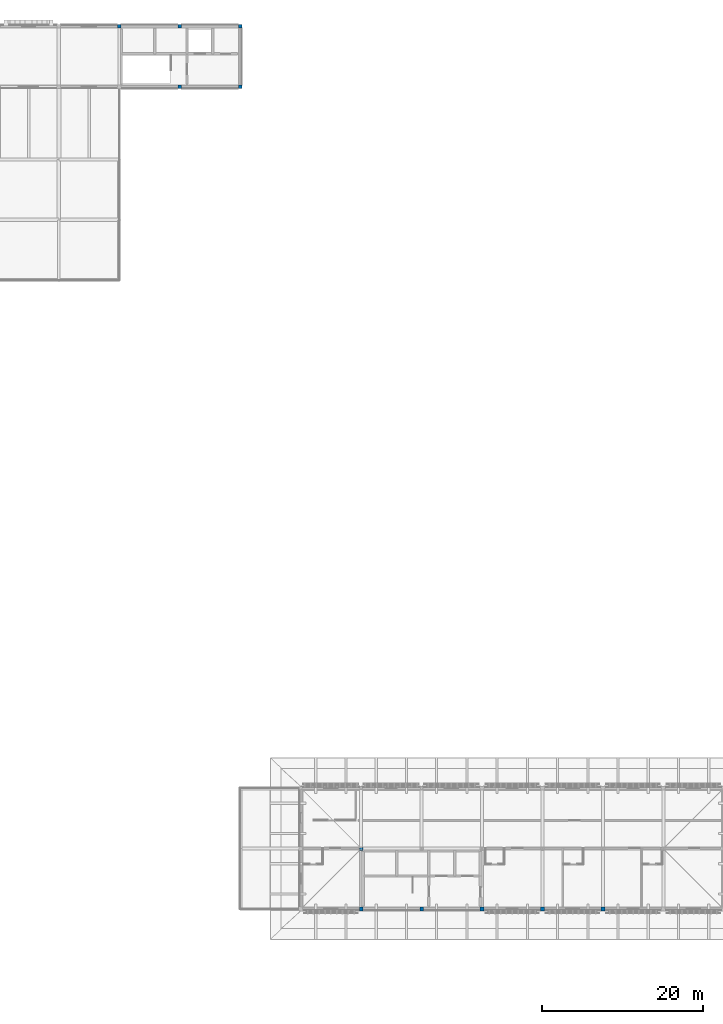
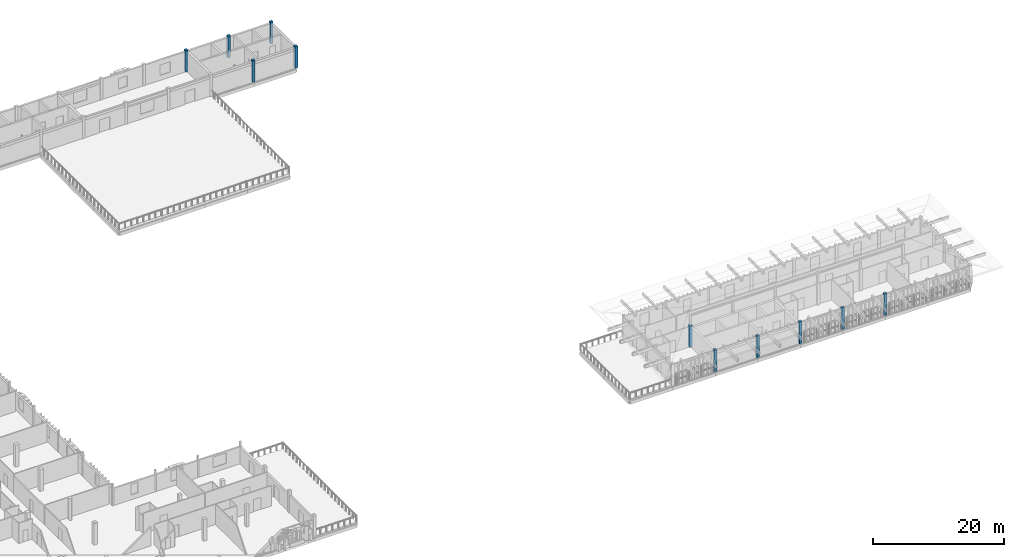
# One storey, part 5 of 33: 11 columns.
"""IFC4 building model written with IfcOpenShell, lengths in metres."""

from ifc_helpers import new_model, si_unit, direction, frame, origin, origin_2d, place, context, subcontext, project, spatial, rectangle, extrude, material, material_profile, profile_set, type_object, element, save


model = new_model("IFC4")

# Units and contexts
model_context = context("Model", 3, precision=1e-05, world=origin(), true_north=direction((0.0, 1.0)))
body_context = subcontext(model_context, "Body", "Model", "MODEL_VIEW")
ifc_project = project(units=[si_unit("LENGTHUNIT", "METRE"), si_unit("AREAUNIT", "SQUARE_METRE"), si_unit("VOLUMEUNIT", "CUBIC_METRE"), si_unit("PLANEANGLEUNIT", "RADIAN"), si_unit("MASSUNIT", "GRAM", prefix="KILO")], contexts=[model_context])

# Site, building, storey
site_placement = place(None, origin())
site = spatial("IfcSite", under=ifc_project, at=site_placement, CompositionType="ELEMENT")
building_placement = place(site_placement, origin())
building = spatial("IfcBuilding", under=site, at=building_placement, Name="Dalvernix Boulevard General Hospital", CompositionType="ELEMENT")
storey_placement = place(building_placement, frame((0.0, 0.0, 21.89990234375)))
storey = spatial("IfcBuildingStorey", under=building, at=storey_placement, Name="L05", CompositionType="ELEMENT", Elevation=21.89990234375)

# Columns
ifc_material = material(Name="Concrete C40/50", Category="concrete")
ifc_material_profile_1 = material_profile(ifc_material, rectangle(XDim=0.449951171875, YDim=0.449951171875, at=origin_2d()), Name="RC 450x450")
ifc_profile_set_1 = profile_set([ifc_material_profile_1], Name="Concrete C40/50")
column_type_1 = type_object("IfcColumnType", Name="COL-C-10-E", PredefinedType="COLUMN", material=ifc_profile_set_1)
for number, where, z_axis, x_axis, name in (
    (1, (97.5, 117.0, 0.0), (0.0, 0.0, 1.0), (1.0, 0.0, 0.0), "L05 column 14R"),
    (2, (105.0, 109.5, 0.0), (0.0, 0.0, 1.0), (1.0, 0.0, 0.0), "L05 column 15Q"),
    (3, (105.0, 117.0, 0.0), (0.0, 0.0, 1.0), (1.0, 0.0, 0.0), "L05 column 15R"),
    (4, (112.5, 109.5, 0.0), (0.0, 0.0, 1.0), (1.0, 0.0, 0.0), "L05 column 16Q"),
    (5, (112.5, 117.0, 0.0), (0.0, 0.0, 1.0), (1.0, 0.0, 0.0), "L05 column 16R"),
    (6, (127.5, 7.5, 0.0), (0.0, 0.0, 1.0), (1.0, 0.0, 0.0), "L05 column 18B"),
    (7, (135.0, 7.5, 0.0), (0.0, 0.0, 1.0), (1.0, 0.0, 0.0), "L05 column 19B"),
    (8, (142.5, 7.5, 0.0), (0.0, 0.0, 1.0), (1.0, 0.0, 0.0), "L05 column 20B"),
    (9, (150.0, 7.5, 0.0), (0.0, 0.0, 1.0), (1.0, 0.0, 0.0), "L05 column 21B"),
    (10, (157.5, 7.5, 0.0), (0.0, 0.0, 1.0), (1.0, 0.0, 0.0), "L05 column 22B"),
):
    element("IfcColumn", number, at=place(storey_placement, frame(where, z_axis=z_axis, x_axis=x_axis)), inside=storey, type_object=column_type_1, Name=name, PredefinedType="COLUMN", context=body_context, shape_type="SweptSolid", body=[
        extrude(rectangle(XDim=0.449951171875, YDim=0.449951171875, at=origin_2d()), origin(), (0.0, 0.0, 1.0), 4.050048828125),
    ])
ifc_material_profile_2 = material_profile(ifc_material, rectangle(XDim=0.449951171875, YDim=0.449951171875, at=origin_2d()), Name="RC 450x450")
ifc_profile_set_2 = profile_set([ifc_material_profile_2], Name="Concrete C40/50")
column_type_2 = type_object("IfcColumnType", Name="COL-C-10-I", PredefinedType="COLUMN", material=ifc_profile_set_2)
column_placement = place(storey_placement, frame((127.5, 15.0, 0.0), z_axis=(0.0, 0.0, 1.0), x_axis=(1.0, 0.0, 0.0)))
element("IfcColumn", 11, at=column_placement, inside=storey, type_object=column_type_2, Name="L05 column 18C", PredefinedType="COLUMN", context=body_context, shape_type="SweptSolid", body=[
    extrude(rectangle(XDim=0.449951171875, YDim=0.449951171875, at=origin_2d()), origin(), (0.0, 0.0, 1.0), 4.050048828125),
])

save(model, "model.ifc")
